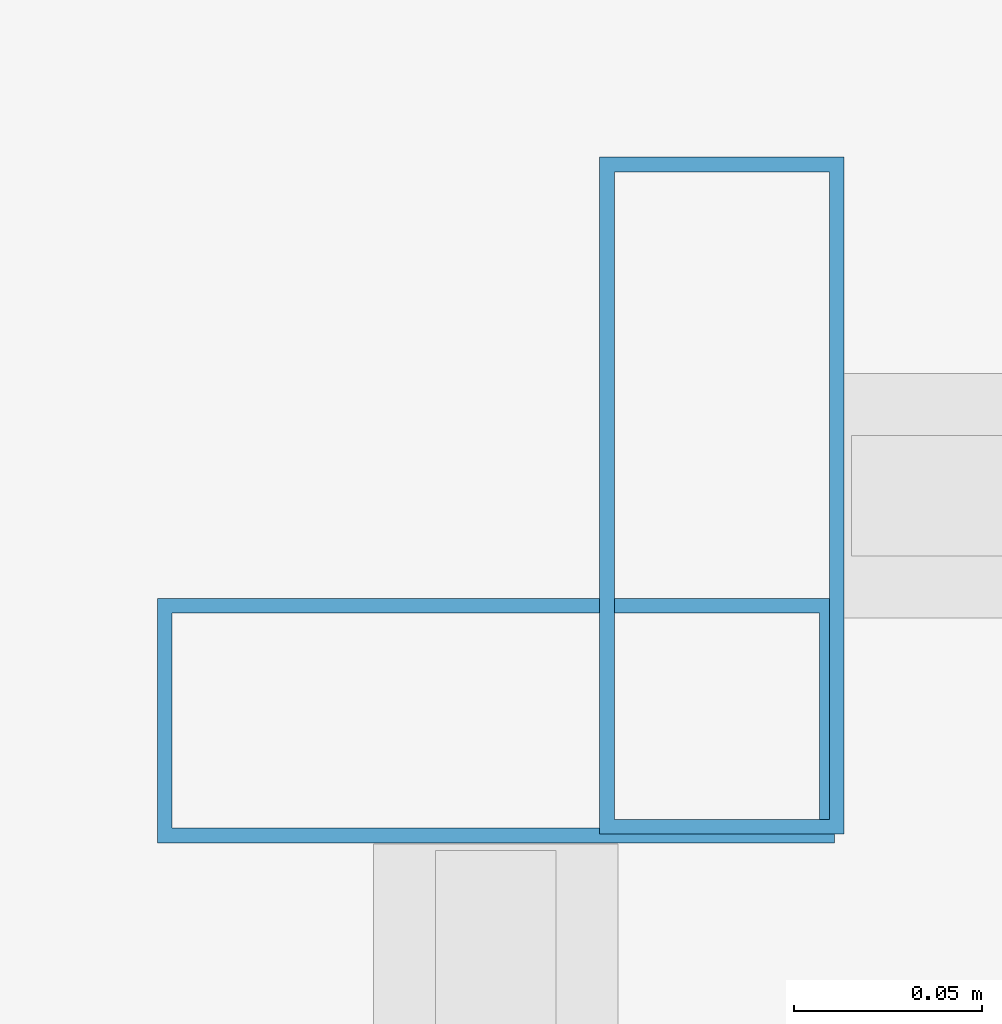
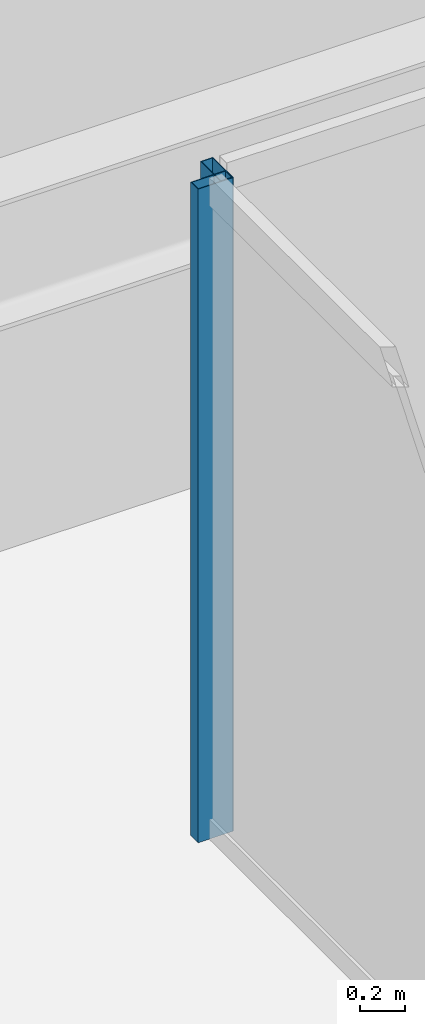
# One storey, part 13 of 36: 2 members, 2 elements without a shape of their own.
"""IFC4 building model written with IfcOpenShell, lengths in metres."""

from ifc_helpers import new_model, si_unit, direction, frame, origin, origin_2d, place, context, subcontext, project, spatial, hollow_rectangle, extrude, material, material_profile, profile_set, type_object, element, aggregate, save


model = new_model("IFC4")

# Units and contexts
model_context = context("Model", 3, precision=1e-05, world=origin(), true_north=direction((0.0, 1.0)))
body_context = subcontext(model_context, "Body", "Model", "MODEL_VIEW")
ifc_project = project(units=[si_unit("LENGTHUNIT", "METRE"), si_unit("AREAUNIT", "SQUARE_METRE"), si_unit("VOLUMEUNIT", "CUBIC_METRE"), si_unit("PLANEANGLEUNIT", "RADIAN"), si_unit("MASSUNIT", "GRAM", prefix="KILO")], contexts=[model_context])

# Site, building, storey
site_placement = place(None, origin())
site = spatial("IfcSite", under=ifc_project, at=site_placement, CompositionType="ELEMENT")
building_placement = place(site_placement, origin())
building = spatial("IfcBuilding", under=site, at=building_placement, Name="Saevonmaru Cultural Tower", CompositionType="ELEMENT")
storey_placement = place(building_placement, frame((0.0, 0.0, 205.60009765625)))
storey = spatial("IfcBuildingStorey", under=building, at=storey_placement, Name="L47", CompositionType="ELEMENT", Elevation=205.60009765625)

# Curtain wall, member
ifc_material = material(Name="Satin Bronze Anodised Aluminium", Category="aluminium")
curtain_wall_type = type_object("IfcCurtainWallType", Name="CW-ATR-GLZ", PredefinedType="NOTDEFINED", material=ifc_material)
curtain_wall_1_placement = place(storey_placement, origin())
curtain_wall_1 = element("IfcCurtainWall", 1, at=curtain_wall_1_placement, inside=storey, type_object=curtain_wall_type, Name="L47 Vertical Atrium Glazed Smoke Screen 3", PredefinedType="NOTDEFINED")
ifc_material_profile = material_profile(ifc_material, hollow_rectangle(XDim=0.06494140625, YDim=0.179931640625, WallThickness=0.00390625, at=origin_2d()), Name="ALU-MULL-180x65x4")
ifc_profile_set = profile_set([ifc_material_profile], Name="Satin Bronze Anodised Aluminium")
member_type = type_object("IfcMemberType", Name="ML-CW-INT-180x65", PredefinedType="MULLION", material=ifc_profile_set)
member_1_placement = place(storey_placement, frame((24.110107421875, 36.669921875, 0.0), z_axis=(0.0, 0.0, 1.0), x_axis=(-1.0, 0.0, 0.0)))
member_1 = element("IfcMember", 2, at=member_1_placement, type_object=member_type, Name="CW-ATR-L47-3 mullion 2", PredefinedType="MULLION", context=body_context, shape_type="SweptSolid", body=[
    extrude(hollow_rectangle(XDim=0.06494140625, YDim=0.179931640625, WallThickness=0.00390625, at=origin_2d()), origin(), (0.0, 0.0, 1.0), 3.5498046875),
])
aggregate(curtain_wall_1, [member_1])

curtain_wall_2_placement = place(storey_placement, origin())
curtain_wall_2 = element("IfcCurtainWall", 3, at=curtain_wall_2_placement, inside=storey, type_object=curtain_wall_type, Name="L47 Vertical Atrium Glazed Smoke Screen 4", PredefinedType="NOTDEFINED")
member_2_placement = place(storey_placement, frame((24.050048828125, 36.610107421875, 0.0), z_axis=(0.0, 0.0, 1.0), x_axis=(0.0, -1.0, 0.0)))
member_2 = element("IfcMember", 4, at=member_2_placement, type_object=member_type, Name="CW-ATR-L47-4 mullion 1", PredefinedType="MULLION", context=body_context, shape_type="SweptSolid", body=[
    extrude(hollow_rectangle(XDim=0.06494140625, YDim=0.179931640625, WallThickness=0.00390625, at=origin_2d()), origin(), (0.0, 0.0, 1.0), 3.5498046875),
])
aggregate(curtain_wall_2, [member_2])

save(model, "model.ifc")
